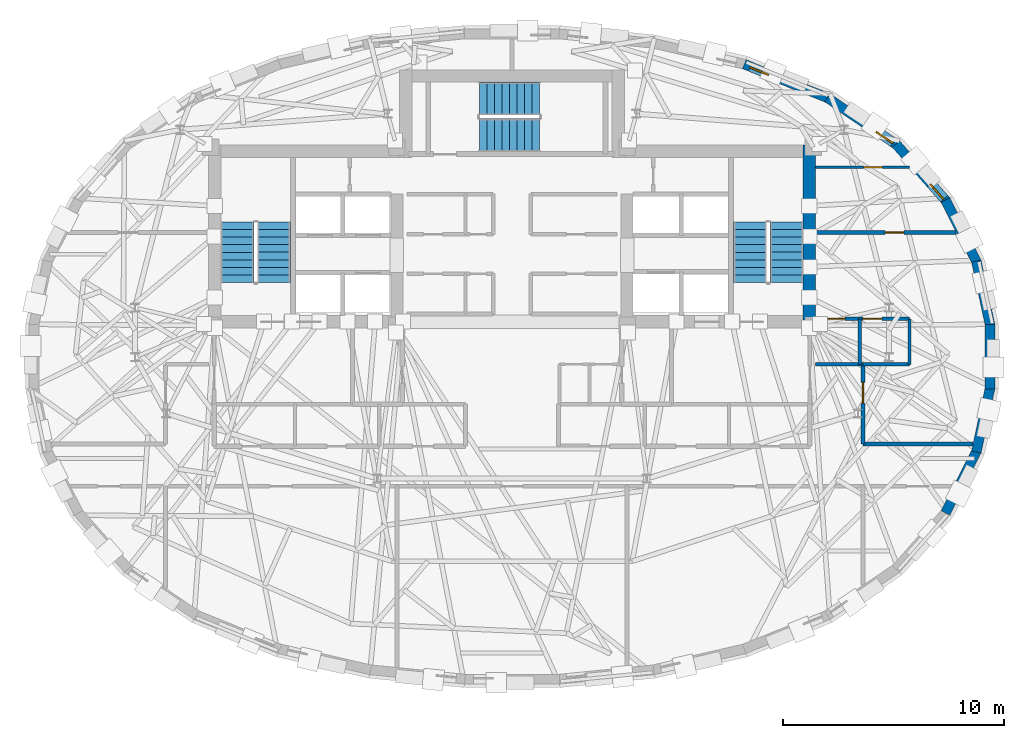
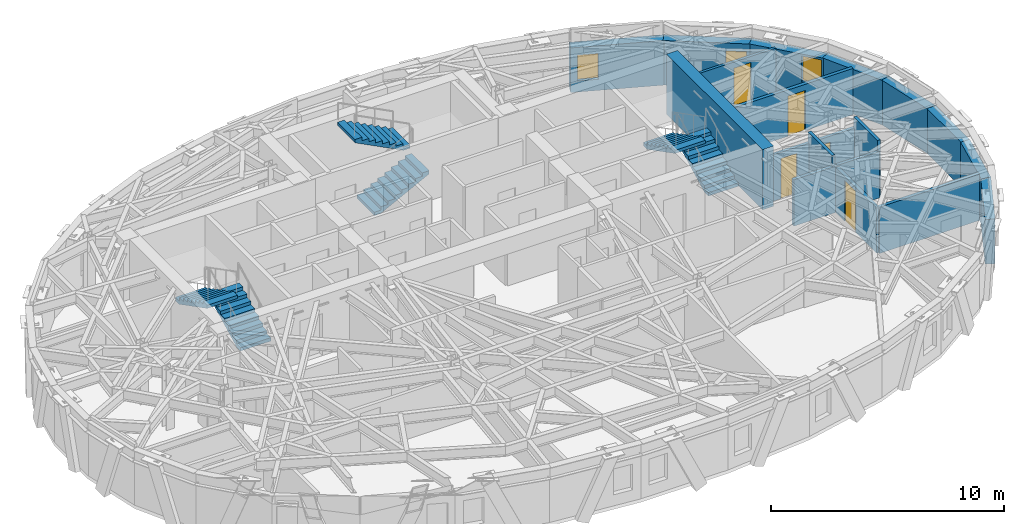
# One storey, part 9 of 12: 18 walls, 6 stair flights, 5 doors, 3 windows, 8 openings, 3 elements without a shape of their own.
"""IFC4 building model written with IfcOpenShell, lengths in metres."""

import ifcopenshell
import ifcopenshell.guid

model = None  # the IFC model being written
_history = None  # IfcOwnerHistory: only IFC2X3 demands one
_inside = {}  # id of a spatial element -> (the spatial element, [elements in it])
_under = {}  # id of a project, library or spatial element -> (it, [spatial elements below it])
_declared = {}  # id of a project -> (the project, [libraries it declares])
_typed = {}  # id of a type object -> (the type object, [elements of that type])
_made_of = {}  # id of a material, layer set ... -> (it, [elements and type objects made of it])


def new_model(schema):
    """Start an empty IFC model of exactly this schema.

    Asked for "IFC4X3", IfcOpenShell would pick the latest addendum, in which some entities
    have other attributes; the version numbers below select the first issue.
    IFC2X3 requires an IfcOwnerHistory on every rooted entity: one is made here for all.
    """
    global model, _history
    if schema == "IFC4X3":
        model = ifcopenshell.file(schema_version=(4, 3, 0, 0))
    else:
        model = ifcopenshell.file(schema=schema)
    _inside.clear()
    _under.clear()
    _declared.clear()
    _typed.clear()
    _made_of.clear()
    _history = None
    if model.schema == "IFC2X3":
        org = make("IfcOrganization", Name="unknown")
        user = make(
            "IfcPersonAndOrganization",
            ThePerson=make("IfcPerson", FamilyName="unknown"),
            TheOrganization=org,
        )
        app = make(
            "IfcApplication",
            ApplicationDeveloper=org,
            Version="unknown",
            ApplicationFullName="unknown",
            ApplicationIdentifier="unknown",
        )
        _history = make(
            "IfcOwnerHistory",
            OwningUser=user,
            OwningApplication=app,
            ChangeAction="ADDED",
            CreationDate=0,
        )
    return model


def make(cls, **values):
    """One entity of the class cls with the attributes given. An attribute that is None is left unset."""
    return model.create_entity(
        cls, **{name: value for name, value in values.items() if value is not None}
    )


def rooted(cls, **values):
    """An entity with a GlobalId (a new one), such as an element, a storey or a relation."""
    return make(cls, GlobalId=ifcopenshell.guid.new(), OwnerHistory=_history, **values)


def si_unit(unit_type, name, prefix=None):
    """IfcSIUnit, for example si_unit("LENGTHUNIT", "METRE", prefix="MILLI")."""
    return make("IfcSIUnit", UnitType=unit_type, Prefix=prefix, Name=name)


def assignment(units):
    """IfcUnitAssignment: the units of a project."""
    return None if units is None else make("IfcUnitAssignment", Units=units)


def point(xyz):
    """IfcCartesianPoint."""
    return None if xyz is None else make("IfcCartesianPoint", Coordinates=xyz)


def direction(xyz):
    """IfcDirection."""
    return None if xyz is None else make("IfcDirection", DirectionRatios=xyz)


def frame(location, z_axis=None, x_axis=None):
    """IfcAxis2Placement3D, a coordinate frame: its origin and axes. An axis left out is left unset."""
    return make(
        "IfcAxis2Placement3D",
        Location=point(location),
        Axis=direction(z_axis),
        RefDirection=direction(x_axis),
    )


def frame_2d(location, x_axis=None):
    """IfcAxis2Placement2D, a coordinate frame in the plane: its origin and x axis."""
    return make(
        "IfcAxis2Placement2D", Location=point(location), RefDirection=direction(x_axis)
    )


def origin():
    """The frame at (0, 0, 0) with its axes left unset."""
    return frame((0.0, 0.0, 0.0))


def place(relative_to, where):
    """IfcLocalPlacement: puts the frame where relative to a parent placement (None: the world)."""
    return make(
        "IfcLocalPlacement", PlacementRelTo=relative_to, RelativePlacement=where
    )


def context(
    kind, dimensions, precision=None, world=None, true_north=None, identifier=None
):
    """IfcGeometricRepresentationContext, for example the 3D "Model" context."""
    return make(
        "IfcGeometricRepresentationContext",
        ContextIdentifier=identifier,
        ContextType=kind,
        CoordinateSpaceDimension=dimensions,
        Precision=precision,
        WorldCoordinateSystem=world,
        TrueNorth=true_north,
    )


def subcontext(parent, identifier, kind, view, scale=None):
    """IfcGeometricRepresentationSubContext, for example "Body" below "Model"."""
    return make(
        "IfcGeometricRepresentationSubContext",
        ContextIdentifier=identifier,
        ContextType=kind,
        ParentContext=parent,
        TargetScale=scale,
        TargetView=view,
    )


def project(units=None, contexts=None):
    """IfcProject with its units and contexts."""
    return rooted(
        "IfcProject",
        Name="project",
        RepresentationContexts=contexts,
        UnitsInContext=assignment(units),
    )


def spatial(cls, under=None, at=None, **own):
    """A site, building, storey or space (cls), placed at a placement, below another one or the project."""
    s = rooted(cls, ObjectPlacement=at, **own)
    if under is not None:
        _under.setdefault(under.id(), (under, []))[1].append(s)
    return s


def polyline(points):
    """IfcPolyline through the points."""
    return make("IfcPolyline", Points=[point(p) for p in points])


def profile(cls, at=None, kind="AREA", **sizes):
    """A parametric profile (cls). Its sizes go by their IFC names, for example OverallWidth=200.0."""
    return make(cls, ProfileType=kind, Position=at, **sizes)


def rectangle(**sizes):
    """IfcRectangleProfileDef."""
    return profile("IfcRectangleProfileDef", **sizes)


def outline(outer, holes=None, kind="AREA"):
    """IfcArbitraryClosedProfileDef: a profile drawn as a closed curve; with holes, ...WithVoids."""
    if holes is None:
        return make("IfcArbitraryClosedProfileDef", ProfileType=kind, OuterCurve=outer)
    return make(
        "IfcArbitraryProfileDefWithVoids",
        ProfileType=kind,
        OuterCurve=outer,
        InnerCurves=holes,
    )


def extrude(swept, where, along, depth):
    """IfcExtrudedAreaSolid: the profile swept, set in the frame where, extruded along a direction by depth."""
    return make(
        "IfcExtrudedAreaSolid",
        SweptArea=swept,
        Position=where,
        ExtrudedDirection=direction(along),
        Depth=depth,
    )


def shape(context_of_items, identifier, shape_type, items):
    """IfcShapeRepresentation: the items that make up one representation, for example the "Body"."""
    return make(
        "IfcShapeRepresentation",
        ContextOfItems=context_of_items,
        RepresentationIdentifier=identifier,
        RepresentationType=shape_type,
        Items=items,
    )


def material(Name=None, Category=None):
    """IfcMaterial."""
    return make("IfcMaterial", Name=Name, Category=Category)


def layer(
    of_material, thickness, ventilated=None, Name=None, Category=None, Priority=None
):
    """IfcMaterialLayer: one layer of a wall or slab, of a material (None: an air gap)."""
    return make(
        "IfcMaterialLayer",
        Material=of_material,
        LayerThickness=thickness,
        IsVentilated=ventilated,
        Name=Name,
        Category=Category,
        Priority=Priority,
    )


def layer_set(layers, Name=None):
    """IfcMaterialLayerSet."""
    return make("IfcMaterialLayerSet", MaterialLayers=layers, LayerSetName=Name)


def made_of(thing, what):
    """Note that an element or type object is made of a material, layer set ...; save() writes the relation."""
    if what is not None:
        _made_of.setdefault(what.id(), (what, []))[1].append(thing)
    return thing


def type_object(cls, material=None, **own):
    """A type object (cls), such as IfcWallType, which elements share."""
    return made_of(rooted(cls, **own), material)


def element(
    cls,
    number,
    at=None,
    inside=None,
    cuts=None,
    type_object=None,
    material=None,
    context=None,
    identifier="Body",
    shape_type=None,
    held_by="IfcProductDefinitionShape",
    body=None,
    shapes=None,
    **own,
):
    """One element of the class cls, such as IfcWall. Its Tag is "e" and its number.

    at: its placement. inside: the storey or other place that contains it. cuts: it is an
    opening in that element (IfcRelVoidsElement). A single representation is given by context,
    identifier, shape_type and body (its items); several are given by shapes. held_by: the class
    of the entity that holds the representations. save() writes the other relations.
    """
    e = rooted(cls, Tag="e%d" % number, ObjectPlacement=at, **own)
    if body is not None:
        shapes = [shape(context, identifier, shape_type, body)]
    if shapes is not None:
        e.Representation = make(held_by, Representations=shapes)
    if inside is not None:
        _inside.setdefault(inside.id(), (inside, []))[1].append(e)
    if cuts is not None:
        rooted(
            "IfcRelVoidsElement", RelatingBuildingElement=cuts, RelatedOpeningElement=e
        )
    if type_object is not None:
        _typed.setdefault(type_object.id(), (type_object, []))[1].append(e)
    return made_of(e, material)


def fill(opening, filler):
    """IfcRelFillsElement: the door or window that sits in an opening."""
    return rooted(
        "IfcRelFillsElement",
        RelatingOpeningElement=opening,
        RelatedBuildingElement=filler,
    )


def aggregate(whole, parts):
    """IfcRelAggregates: a whole, such as a stair, and the parts it consists of."""
    return rooted("IfcRelAggregates", RelatingObject=whole, RelatedObjects=parts)


def save(model, path):
    """Write the relations noted so far, then the file.

    IfcRelAggregates (storeys below a building ...), IfcRelContainedInSpatialStructure (elements
    in a storey), IfcRelDefinesByType, IfcRelAssociatesMaterial and IfcRelDeclares: one each for
    every whole, place, type object, material and project.
    """
    for whole, parts in _under.values():
        aggregate(whole, parts)
    for where, things in _inside.values():
        rooted(
            "IfcRelContainedInSpatialStructure",
            RelatedElements=things,
            RelatingStructure=where,
        )
    for kind, things in _typed.values():
        rooted("IfcRelDefinesByType", RelatedObjects=things, RelatingType=kind)
    for what, things in _made_of.values():
        rooted("IfcRelAssociatesMaterial", RelatedObjects=things, RelatingMaterial=what)
    for by, libraries in _declared.values():
        rooted("IfcRelDeclares", RelatingContext=by, RelatedDefinitions=libraries)
    model.write(path)


model = new_model("IFC4")

# Units and contexts
model_context = context("Model", 3, precision=1e-05, world=origin(), true_north=direction((0.0, 1.0)))
body_context = subcontext(model_context, "Body", "Model", "MODEL_VIEW")
ifc_project = project(units=[si_unit("LENGTHUNIT", "METRE"), si_unit("AREAUNIT", "SQUARE_METRE"), si_unit("VOLUMEUNIT", "CUBIC_METRE"), si_unit("PLANEANGLEUNIT", "RADIAN"), si_unit("MASSUNIT", "GRAM", prefix="KILO")], contexts=[model_context])

# Site, building, storey
site_placement = place(None, origin())
site = spatial("IfcSite", under=ifc_project, at=site_placement, CompositionType="ELEMENT")
building_placement = place(site_placement, origin())
building = spatial("IfcBuilding", under=site, at=building_placement, Name="Keldmark Tower", CompositionType="ELEMENT")
storey_placement = place(building_placement, frame((0.0, 0.0, 238.35009765625)))
storey = spatial("IfcBuildingStorey", under=building, at=storey_placement, Name="L67", CompositionType="ELEMENT", Elevation=238.35009765625)

# Wall
ifc_material_1 = material(Name="Concrete C50/60", Category="concrete")
ifc_layer_1 = layer(ifc_material_1, 0.550048828125)
ifc_layer_set_1 = layer_set([ifc_layer_1], Name="Concrete C50/60")
wall_type_1 = type_object("IfcWallType", Name="High-Rise Core Shear Wall 550 mm", PredefinedType="SHEAR", material=ifc_layer_set_1)
wall_1_placement = place(storey_placement, frame((13.425048828125, 1.300048828125, 0.0), z_axis=(0.0, 0.0, 1.0), x_axis=(0.0, 1.0, 0.0)))
element("IfcWall", 1, at=wall_1_placement, inside=storey, type_object=wall_type_1, Name="L67 East Core Outer Shear Wall", PredefinedType="SHEAR", context=body_context, shape_type="SweptSolid", body=[
    extrude(rectangle(XDim=8.25, YDim=0.550048828125, at=frame_2d((4.125, 0.0))), origin(), (0.0, 0.0, 1.0), 3.14990234375),
])

# Wall, opening, door
ifc_material_2 = material(Name="Acoustic Gypsum Board Interior Partition", Category="gypsum")
ifc_layer_2 = layer(ifc_material_2, 0.1298828125)
ifc_layer_set_2 = layer_set([ifc_layer_2], Name="Acoustic Gypsum Board Interior Partition")
wall_type_2 = type_object("IfcWallType", Name="Interior Partition 130 mm", PredefinedType="PARTITIONING", material=ifc_layer_set_2)
wall_2_placement = place(storey_placement, frame((13.699951171875, 8.550048828125, 0.0), z_axis=(0.0, 0.0, 1.0), x_axis=(1.0, 0.0, 0.0)))
wall_2 = element("IfcWall", 2, at=wall_2_placement, inside=storey, type_object=wall_type_2, Name="L67 Interior Partition 130 mm UA-NDIV2", PredefinedType="PARTITIONING", context=body_context, shape_type="SweptSolid", body=[
    extrude(rectangle(XDim=4.25830078125, YDim=0.1298828125, at=frame_2d((2.129150390625, 0.0))), origin(), (0.0, 0.0, 1.0), 2.4228515625),
])
opening_1_placement = place(wall_2_placement, frame((2.176025390625, 0.0, 0.0)))
opening_1 = element("IfcOpeningElement", 3, at=opening_1_placement, cuts=wall_2, Name="Opening D-IN085", PredefinedType="OPENING", context=body_context, shape_type="SweptSolid", body=[
    extrude(rectangle(XDim=0.85009765625, YDim=2.10009765625, at=frame_2d((0.425048828125, 1.050048828125))), frame((0.0, 0.074951171875, 0.0), z_axis=(0.0, -1.0, 0.0), x_axis=(1.0, 0.0, 0.0)), (0.0, 0.0, 1.0), 0.14990234375),
])
ifc_material_3 = material(Name="Painted Architectural Wood", Category="wood")
door_type_1 = type_object("IfcDoorType", Name="Interior Door 850x2100", OperationType="NOTDEFINED", PredefinedType="DOOR", material=ifc_material_3)
door_1_placement = place(opening_1_placement, origin())
door_1 = element("IfcDoor", 4, at=door_1_placement, inside=storey, type_object=door_type_1, Name="L67 Interior Door 850x2100 D-UA-BR2-L67", OperationType="SINGLE_SWING_RIGHT", OverallHeight=2.10009765625, OverallWidth=0.85009765625, PredefinedType="DOOR", context=body_context, shape_type="SweptSolid", body=[
    extrude(rectangle(XDim=0.85009765625, YDim=2.10009765625, at=frame_2d((0.425048828125, 1.050048828125))), frame((0.0, 0.02490234375, 0.0), z_axis=(0.0, -1.0, 0.0), x_axis=(1.0, 0.0, 0.0)), (0.0, 0.0, 1.0), 0.050048828125),
])
fill(opening_1, door_1)

# Wall
ifc_material_4 = material(Name="Type X Fire-Rated Gypsum Partition Assembly", Category="gypsum")
ifc_layer_3 = layer(ifc_material_4, 0.1650390625)
ifc_layer_set_3 = layer_set([ifc_layer_3], Name="Type X Fire-Rated Gypsum Partition Assembly")
wall_type_3 = type_object("IfcWallType", Name="Rated Partition 165 mm", PredefinedType="PARTITIONING", material=ifc_layer_set_3)
wall_3_placement = place(storey_placement, frame((15.85009765625, -3.949951171875, 0.0), z_axis=(0.0, 0.0, 1.0), x_axis=(1.0, 0.0, 0.0)))
element("IfcWall", 5, at=wall_3_placement, inside=storey, type_object=wall_type_3, Name="L67 Rated Partition 165 mm RCOR-EN-OUT", PredefinedType="PARTITIONING", context=body_context, shape_type="SweptSolid", body=[
    extrude(rectangle(XDim=4.9638671875, YDim=0.1650390625, at=frame_2d((2.48193359375, 0.0))), origin(), (0.0, 0.0, 1.0), 2.4228515625),
])

# Wall, opening, door
wall_4_placement = place(storey_placement, frame((15.85009765625, -3.949951171875, 0.0), z_axis=(0.0, 0.0, 1.0), x_axis=(0.0, 1.0, 0.0)))
wall_4 = element("IfcWall", 6, at=wall_4_placement, inside=storey, type_object=wall_type_3, Name="L67 Rated Partition 165 mm RCOR-VE", PredefinedType="PARTITIONING", context=body_context, shape_type="SweptSolid", body=[
    extrude(rectangle(XDim=3.599853515625, YDim=0.1650390625, at=frame_2d((1.7998046875, 0.0))), origin(), (0.0, 0.0, 1.0), 2.35693359375),
])
opening_2_placement = place(wall_4_placement, frame((1.830078125, 0.0, 0.0)))
opening_2 = element("IfcOpeningElement", 7, at=opening_2_placement, cuts=wall_4, Name="Opening D-AP095", PredefinedType="OPENING", context=body_context, shape_type="SweptSolid", body=[
    extrude(rectangle(XDim=0.949951171875, YDim=2.14990234375, at=frame_2d((0.47509765625, 1.074951171875))), frame((0.0, 0.092529296875, 0.0), z_axis=(0.0, -1.0, 0.0), x_axis=(1.0, 0.0, 0.0)), (0.0, 0.0, 1.0), 0.18505859375),
])
ifc_material_5 = material(Name="Solid-Core Walnut Fire-Rated Entry Assembly", Category="wood")
door_type_2 = type_object("IfcDoorType", Name="Apartment Entry Door 950x2150", OperationType="NOTDEFINED", PredefinedType="DOOR", material=ifc_material_5)
door_2_placement = place(opening_2_placement, origin())
door_2 = element("IfcDoor", 8, at=door_2_placement, inside=storey, type_object=door_type_2, Name="L67 Apartment Entry Door 950x2150 D-UA-ENT-L67", OperationType="SINGLE_SWING_RIGHT", OverallHeight=2.14990234375, OverallWidth=0.949951171875, PredefinedType="DOOR", context=body_context, shape_type="SweptSolid", body=[
    extrude(rectangle(XDim=0.949951171875, YDim=2.14990234375, at=frame_2d((0.47509765625, 1.074951171875))), frame((0.0, 0.02490234375, 0.0), z_axis=(0.0, -1.0, 0.0), x_axis=(1.0, 0.0, 0.0)), (0.0, 0.0, 1.0), 0.050048828125),
])
fill(opening_2, door_2)

# Wall
wall_5_placement = place(storey_placement, frame((13.699951171875, -0.35009765625, 0.0), z_axis=(0.0, 0.0, 1.0), x_axis=(1.0, 0.0, 0.0)))
element("IfcWall", 9, at=wall_5_placement, inside=storey, type_object=wall_type_3, Name="L67 Rated Partition 165 mm RCOR-VEN", PredefinedType="PARTITIONING", context=body_context, shape_type="SweptSolid", body=[
    extrude(rectangle(XDim=2.150146484375, YDim=0.1650390625, at=frame_2d((1.0751953125, 0.0))), origin(), (0.0, 0.0, 1.0), 2.4228515625),
])

# Wall, opening, door
wall_6_placement = place(storey_placement, frame((13.699951171875, 5.60009765625, 0.0), z_axis=(0.0, 0.0, 1.0), x_axis=(1.0, 0.0, 0.0)))
wall_6 = element("IfcWall", 10, at=wall_6_placement, inside=storey, type_object=wall_type_3, Name="L67 Rated Partition 165 mm RE-NDIV", PredefinedType="PARTITIONING", context=body_context, shape_type="SweptSolid", body=[
    extrude(rectangle(XDim=6.35986328125, YDim=0.1650390625, at=frame_2d((3.179931640625, 0.0))), origin(), (0.0, 0.0, 1.0), 2.4228515625),
])
opening_3_placement = place(wall_6_placement, frame((3.15087890625, 0.0, 0.0)))
opening_3 = element("IfcOpeningElement", 11, at=opening_3_placement, cuts=wall_6, Name="Opening D-BR085", PredefinedType="OPENING", context=body_context, shape_type="SweptSolid", body=[
    extrude(rectangle(XDim=0.85009765625, YDim=2.10009765625, at=frame_2d((0.425048828125, 1.050048828125))), frame((0.0, 0.092529296875, 0.0), z_axis=(0.0, -1.0, 0.0), x_axis=(1.0, 0.0, 0.0)), (0.0, 0.0, 1.0), 0.18505859375),
])
ifc_material_6 = material(Name="Solid-Core Stained Walnut Wood", Category="wood")
door_type_3 = type_object("IfcDoorType", Name="Bedroom Door 850x2100", OperationType="NOTDEFINED", PredefinedType="DOOR", material=ifc_material_6)
door_3_placement = place(opening_3_placement, origin())
door_3 = element("IfcDoor", 12, at=door_3_placement, inside=storey, type_object=door_type_3, Name="L67 Bedroom Door 850x2100 D-UA-BR1-L67", OperationType="SINGLE_SWING_LEFT", OverallHeight=2.10009765625, OverallWidth=0.85009765625, PredefinedType="DOOR", context=body_context, shape_type="SweptSolid", body=[
    extrude(rectangle(XDim=0.85009765625, YDim=2.10009765625, at=frame_2d((0.425048828125, 1.050048828125))), frame((0.0, 0.02490234375, 0.0), z_axis=(0.0, -1.0, 0.0), x_axis=(1.0, 0.0, 0.0)), (0.0, 0.0, 1.0), 0.050048828125),
])
fill(opening_3, door_3)

# Walls
ifc_material_7 = material(Name="Ironspot Manganese Brick and Kasota Buff Limestone Spandrel Assembly", Category="masonry")
ifc_layer_4 = layer(ifc_material_7, 0.43994140625)
ifc_layer_set_4 = layer_set([ifc_layer_4], Name="Ironspot Manganese Brick and Kasota Buff Limestone Spandrel Assembly")
wall_type_4 = type_object("IfcWallType", Name="Tower Brick Pier and Spandrel Wall 440 mm", PredefinedType="STANDARD", material=ifc_layer_set_4)
wall_7_placement = place(storey_placement, frame((20.969482421875, 4.311279296875, 0.0), z_axis=(0.0, 0.0, 1.0), x_axis=(0.210540350534, -0.977585168053, 0.0)))
element("IfcWall", 13, at=wall_7_placement, inside=storey, type_object=wall_type_4, Name="L67 Exterior Brick and Spandrel Wall 01", PredefinedType="STANDARD", context=body_context, shape_type="SweptSolid", body=[
    extrude(rectangle(XDim=2.96728515625, YDim=0.43994140625, at=frame_2d((1.483642578125, 0.0))), origin(), (0.0, 0.0, 1.0), 2.3359375),
])
wall_8_placement = place(storey_placement, frame((19.578125, 7.068603515625, 0.0), z_axis=(0.0, 0.0, 1.0), x_axis=(0.448424724145, -0.893820601002, 0.0)))
element("IfcWall", 14, at=wall_8_placement, inside=storey, type_object=wall_type_4, Name="L67 Exterior Brick and Spandrel Wall 02", PredefinedType="STANDARD", context=body_context, shape_type="SweptSolid", body=[
    extrude(rectangle(XDim=3.1435546875, YDim=0.43994140625, at=frame_2d((1.57177734375, 0.0))), origin(), (0.0, 0.0, 1.0), 2.3359375),
])

# Wall, opening, window
wall_9_placement = place(storey_placement, frame((17.33984375, 9.595947265625, 0.0), z_axis=(0.0, 0.0, 1.0), x_axis=(0.66136043846, -0.750068243855, 0.0)))
wall_9 = element("IfcWall", 15, at=wall_9_placement, inside=storey, type_object=wall_type_4, Name="L67 Exterior Brick and Spandrel Wall 03", PredefinedType="STANDARD", context=body_context, shape_type="SweptSolid", body=[
    extrude(rectangle(XDim=3.431884765625, YDim=0.43994140625, at=frame_2d((1.7158203125, 0.0))), origin(), (0.0, 0.0, 1.0), 2.3359375),
])
opening_4_placement = place(wall_9_placement, frame((2.39208984375, 0.0, 0.8798828125)))
opening_4 = element("IfcOpeningElement", 16, at=opening_4_placement, cuts=wall_9, Name="Opening W-09", PredefinedType="OPENING", context=body_context, shape_type="SweptSolid", body=[
    extrude(rectangle(XDim=0.89990234375, YDim=1.35009765625, at=frame_2d((0.449951171875, 0.675048828125))), frame((0.0, 0.22998046875, 0.0), z_axis=(0.0, -1.0, 0.0), x_axis=(1.0, 0.0, 0.0)), (0.0, 0.0, 1.0), 0.4599609375),
])
ifc_material_8 = material(Name="Thermally Broken Anodized Aluminum and Triple Low-E Argon Glazing", Category="aluminium")
window_type = type_object("IfcWindowType", Name="Corner Pier Deep-Set Window 900x1350", PartitioningType="SINGLE_PANEL", PredefinedType="WINDOW", material=ifc_material_8)
window_1_placement = place(opening_4_placement, origin())
window_1 = element("IfcWindow", 17, at=window_1_placement, inside=storey, type_object=window_type, Name="L67 Pier Window RM01", OverallHeight=1.35009765625, OverallWidth=0.89990234375, PartitioningType="SINGLE_PANEL", PredefinedType="WINDOW", context=body_context, shape_type="SweptSolid", body=[
    extrude(rectangle(XDim=0.89990234375, YDim=1.35009765625, at=frame_2d((0.449951171875, 0.675048828125))), frame((0.0, -0.010009765625, 0.0), z_axis=(0.0, -1.0, 0.0), x_axis=(1.0, 0.0, 0.0)), (0.0, 0.0, 1.0), 0.06005859375),
])
fill(opening_4, window_1)

wall_10_placement = place(storey_placement, frame((14.242431640625, 11.68798828125, 0.0), z_axis=(0.0, 0.0, 1.0), x_axis=(0.827637036896, -0.561263694851, 0.0)))
wall_10 = element("IfcWall", 18, at=wall_10_placement, inside=storey, type_object=wall_type_4, Name="L67 Exterior Brick and Spandrel Wall 04", PredefinedType="STANDARD", context=body_context, shape_type="SweptSolid", body=[
    extrude(rectangle(XDim=3.792724609375, YDim=0.43994140625, at=frame_2d((1.896484375, 0.0))), origin(), (0.0, 0.0, 1.0), 2.3359375),
])
opening_5_placement = place(wall_10_placement, frame((2.692626953125, 0.0, 0.580078125)))
opening_5 = element("IfcOpeningElement", 19, at=opening_5_placement, cuts=wall_10, Name="Opening W-09", PredefinedType="OPENING", context=body_context, shape_type="SweptSolid", body=[
    extrude(rectangle(XDim=0.89990234375, YDim=1.35009765625, at=frame_2d((0.449951171875, 0.675048828125))), frame((0.0, 0.22998046875, 0.0), z_axis=(0.0, -1.0, 0.0), x_axis=(1.0, 0.0, 0.0)), (0.0, 0.0, 1.0), 0.4599609375),
])
window_2_placement = place(opening_5_placement, origin())
window_2 = element("IfcWindow", 20, at=window_2_placement, inside=storey, type_object=window_type, Name="L67 Deep-Set Window 04", OverallHeight=1.35009765625, OverallWidth=0.89990234375, PartitioningType="SINGLE_PANEL", PredefinedType="WINDOW", context=body_context, shape_type="SweptSolid", body=[
    extrude(rectangle(XDim=0.89990234375, YDim=1.35009765625, at=frame_2d((0.449951171875, 0.675048828125))), frame((0.0, -0.010009765625, 0.0), z_axis=(0.0, -1.0, 0.0), x_axis=(1.0, 0.0, 0.0)), (0.0, 0.0, 1.0), 0.06005859375),
])
fill(opening_5, window_2)

wall_11_placement = place(storey_placement, frame((10.487060546875, 13.205078125, 0.0), z_axis=(0.0, 0.0, 1.0), x_axis=(0.926731976866, -0.375723093586, 0.0)))
wall_11 = element("IfcWall", 21, at=wall_11_placement, inside=storey, type_object=wall_type_4, Name="L67 Exterior Brick and Spandrel Wall 05", PredefinedType="STANDARD", context=body_context, shape_type="SweptSolid", body=[
    extrude(rectangle(XDim=4.09619140625, YDim=0.43994140625, at=frame_2d((2.048095703125, 0.0))), origin(), (0.0, 0.0, 1.0), 2.3359375),
])
opening_6_placement = place(wall_11_placement, frame((0.2998046875, 0.0, 0.580078125)))
opening_6 = element("IfcOpeningElement", 22, at=opening_6_placement, cuts=wall_11, Name="Opening W-09", PredefinedType="OPENING", context=body_context, shape_type="SweptSolid", body=[
    extrude(rectangle(XDim=0.89990234375, YDim=1.35009765625, at=frame_2d((0.449951171875, 0.675048828125))), frame((0.0, 0.22998046875, 0.0), z_axis=(0.0, -1.0, 0.0), x_axis=(1.0, 0.0, 0.0)), (0.0, 0.0, 1.0), 0.4599609375),
])
window_3_placement = place(opening_6_placement, origin())
window_3 = element("IfcWindow", 23, at=window_3_placement, inside=storey, type_object=window_type, Name="L67 Deep-Set Window 05", OverallHeight=1.35009765625, OverallWidth=0.89990234375, PartitioningType="SINGLE_PANEL", PredefinedType="WINDOW", context=body_context, shape_type="SweptSolid", body=[
    extrude(rectangle(XDim=0.89990234375, YDim=1.35009765625, at=frame_2d((0.449951171875, 0.675048828125))), frame((0.0, -0.010009765625, 0.0), z_axis=(0.0, -1.0, 0.0), x_axis=(1.0, 0.0, 0.0)), (0.0, 0.0, 1.0), 0.06005859375),
])
fill(opening_6, window_3)

# Walls
wall_12_placement = place(storey_placement, frame((20.98779296875, -4.2587890625, 0.0), z_axis=(0.0, 0.0, 1.0), x_axis=(-0.448424724145, -0.893820601002, 0.0)))
element("IfcWall", 24, at=wall_12_placement, inside=storey, type_object=wall_type_4, Name="L67 Exterior Brick and Spandrel Wall 30", PredefinedType="STANDARD", context=body_context, shape_type="SweptSolid", body=[
    extrude(rectangle(XDim=3.1435546875, YDim=0.43994140625, at=frame_2d((1.57177734375, 0.0))), origin(), (0.0, 0.0, 1.0), 2.3359375),
])
wall_13_placement = place(storey_placement, frame((21.59423828125, -1.410400390625, 0.0), z_axis=(0.0, 0.0, 1.0), x_axis=(-0.210540350534, -0.977585168053, 0.0)))
element("IfcWall", 25, at=wall_13_placement, inside=storey, type_object=wall_type_4, Name="L67 Exterior Brick and Spandrel Wall 31", PredefinedType="STANDARD", context=body_context, shape_type="SweptSolid", body=[
    extrude(rectangle(XDim=2.96728515625, YDim=0.43994140625, at=frame_2d((1.483642578125, 0.0))), origin(), (0.0, 0.0, 1.0), 2.3359375),
])
wall_14_placement = place(storey_placement, frame((21.58935546875, 1.45654296875, 0.0), z_axis=(0.0, 0.0, 1.0), x_axis=(0.0, -1.0, 0.0)))
element("IfcWall", 26, at=wall_14_placement, inside=storey, type_object=wall_type_4, Name="L67 Exterior Brick and Spandrel Wall 32", PredefinedType="STANDARD", context=body_context, shape_type="SweptSolid", body=[
    extrude(rectangle(XDim=2.9130859375, YDim=0.43994140625, at=frame_2d((1.45654296875, 0.0))), origin(), (0.0, 0.0, 1.0), 2.3359375),
])

# Wall, openings, doors
ifc_material_9 = material(Name="Moisture-Resistant Gypsum Plumbing Partition", Category="gypsum")
ifc_layer_5 = layer(ifc_material_9, 0.14990234375)
ifc_layer_set_5 = layer_set([ifc_layer_5], Name="Moisture-Resistant Gypsum Plumbing Partition")
wall_type_5 = type_object("IfcWallType", Name="Wet Wall 150 mm", PredefinedType="PLUMBINGWALL", material=ifc_layer_set_5)
wall_15_placement = place(storey_placement, frame((13.699951171875, 1.699951171875, 0.0), z_axis=(0.0, 0.0, 1.0), x_axis=(1.0, 0.0, 0.0)))
wall_15 = element("IfcWall", 27, at=wall_15_placement, inside=storey, type_object=wall_type_5, Name="L67 Wet Wall 150 mm UA-BK-N", PredefinedType="PLUMBINGWALL", context=body_context, shape_type="SweptSolid", body=[
    extrude(rectangle(XDim=4.25, YDim=0.14990234375, at=frame_2d((2.125, 0.0))), origin(), (0.0, 0.0, 1.0), 2.4228515625),
])
opening_7_placement = place(wall_15_placement, frame((0.550048828125, 0.0, 0.0)))
opening_7 = element("IfcOpeningElement", 28, at=opening_7_placement, cuts=wall_15, Name="Opening D-BT080", PredefinedType="OPENING", context=body_context, shape_type="SweptSolid", body=[
    extrude(rectangle(XDim=0.800048828125, YDim=2.10009765625, at=frame_2d((0.39990234375, 1.050048828125))), frame((0.0, 0.0849609375, 0.0), z_axis=(0.0, -1.0, 0.0), x_axis=(1.0, 0.0, 0.0)), (0.0, 0.0, 1.0), 0.169921875),
])
opening_8_placement = place(wall_15_placement, frame((2.14990234375, 0.0, 0.0)))
opening_8 = element("IfcOpeningElement", 29, at=opening_8_placement, cuts=wall_15, Name="Opening D-IN085", PredefinedType="OPENING", context=body_context, shape_type="SweptSolid", body=[
    extrude(rectangle(XDim=0.85009765625, YDim=2.10009765625, at=frame_2d((0.425048828125, 1.050048828125))), frame((0.0, 0.0849609375, 0.0), z_axis=(0.0, -1.0, 0.0), x_axis=(1.0, 0.0, 0.0)), (0.0, 0.0, 1.0), 0.169921875),
])
ifc_material_10 = material(Name="Moisture-Sealed Stained Wood", Category="wood")
door_type_4 = type_object("IfcDoorType", Name="Bathroom Door 800x2100", OperationType="NOTDEFINED", PredefinedType="DOOR", material=ifc_material_10)
door_4_placement = place(opening_7_placement, origin())
door_4 = element("IfcDoor", 30, at=door_4_placement, inside=storey, type_object=door_type_4, Name="L67 Bathroom Door 800x2100 D-UA-BATH-L67", OperationType="SINGLE_SWING_RIGHT", OverallHeight=2.10009765625, OverallWidth=0.800048828125, PredefinedType="DOOR", context=body_context, shape_type="SweptSolid", body=[
    extrude(rectangle(XDim=0.800048828125, YDim=2.10009765625, at=frame_2d((0.39990234375, 1.050048828125))), frame((0.0, 0.02490234375, 0.0), z_axis=(0.0, -1.0, 0.0), x_axis=(1.0, 0.0, 0.0)), (0.0, 0.0, 1.0), 0.050048828125),
])
fill(opening_7, door_4)
door_5_placement = place(opening_8_placement, origin())
door_5 = element("IfcDoor", 31, at=door_5_placement, inside=storey, type_object=door_type_1, Name="L67 Interior Door 850x2100 D-UA-KIT-L67", OperationType="SINGLE_SWING_LEFT", OverallHeight=2.10009765625, OverallWidth=0.85009765625, PredefinedType="DOOR", context=body_context, shape_type="SweptSolid", body=[
    extrude(rectangle(XDim=0.85009765625, YDim=2.10009765625, at=frame_2d((0.425048828125, 1.050048828125))), frame((0.0, 0.02490234375, 0.0), z_axis=(0.0, -1.0, 0.0), x_axis=(1.0, 0.0, 0.0)), (0.0, 0.0, 1.0), 0.050048828125),
])
fill(opening_8, door_5)

# Walls
wall_16_placement = place(storey_placement, frame((15.85009765625, -0.35009765625, 0.0), z_axis=(0.0, 0.0, 1.0), x_axis=(1.0, 0.0, 0.0)))
element("IfcWall", 32, at=wall_16_placement, inside=storey, type_object=wall_type_5, Name="L67 Wet Wall 150 mm UA-BK-S", PredefinedType="PLUMBINGWALL", context=body_context, shape_type="SweptSolid", body=[
    extrude(rectangle(XDim=2.099853515625, YDim=0.14990234375, at=frame_2d((1.0498046875, 0.0))), origin(), (0.0, 0.0, 1.0), 2.4228515625),
])
for number, where, z_axis, x_axis, name in (
    (33, (15.699951171875, -0.35009765625, 0.0), (0.0, 0.0, 1.0), (0.0, 1.0, 0.0), "L67 Wet Wall 150 mm UA-BK-M"),
    (34, (17.949951171875, -0.35009765625, 0.0), (0.0, 0.0, 1.0), (0.0, 1.0, 0.0), "L67 Wet Wall 150 mm UA-BK-OUT"),
):
    element("IfcWall", number, at=place(storey_placement, frame(where, z_axis=z_axis, x_axis=x_axis)), inside=storey, type_object=wall_type_5, Name=name, PredefinedType="PLUMBINGWALL", context=body_context, shape_type="SweptSolid", body=[
        extrude(rectangle(XDim=2.050048828125, YDim=0.14990234375, at=frame_2d((1.02490234375, 0.0))), origin(), (0.0, 0.0, 1.0), 2.969970703125),
    ])

# Stair, stair flights
ifc_material_11 = material(Name="Concrete C40/50", Category="concrete")
stair_type = type_object("IfcStairType", Name="Precast Concrete Core Exit Stair", PredefinedType="HALF_TURN_STAIR", material=ifc_material_11)
stair_1_placement = place(storey_placement, origin())
stair_1 = element("IfcStair", 35, at=stair_1_placement, inside=storey, type_object=stair_type, Name="L67 Exit Stair ST1", PredefinedType="HALF_TURN_STAIR")
ifc_material_12 = material(Name="Concrete C40/50", Category="concrete")
stair_flight_type = type_object("IfcStairFlightType", Name="Precast Concrete Stair Flight 1500 mm", PredefinedType="STRAIGHT", material=ifc_material_12)
stair_flight_1_placement = place(storey_placement, frame((-10.75, 3.35009765625, 0.0), z_axis=(0.0, 0.0, 1.0), x_axis=(0.0, 1.0, 0.0)))
stair_flight_1 = element("IfcStairFlight", 36, at=stair_flight_1_placement, type_object=stair_flight_type, Name="ST1 flight 1", NumberOfRisers=9, NumberOfTreads=8, PredefinedType="STRAIGHT", RiserHeight=0.175, TreadLength=0.34, context=body_context, shape_type="SweptSolid", body=[
    extrude(outline(polyline([(0.0, 0.0), (0.0, 0.175048828125), (0.340087890625, 0.175048828125), (0.340087890625, 0.35009765625), (0.679931640625, 0.35009765625), (0.679931640625, 0.52490234375), (1.02001953125, 0.52490234375), (1.02001953125, 0.699951171875), (1.360107421875, 0.699951171875), (1.360107421875, 0.875), (1.699951171875, 0.875), (1.699951171875, 1.050048828125), (2.0400390625, 1.050048828125), (2.0400390625, 1.22509765625), (2.3798828125, 1.22509765625), (2.3798828125, 1.39990234375), (2.719970703125, 1.39990234375), (2.719970703125, 1.574951171875), (2.719970703125, 1.2314453125), (0.32763671875, 0.0), (0.0, 0.0)])), frame((0.0, 0.75, 0.0), z_axis=(0.0, -1.0, 0.0), x_axis=(1.0, 0.0, 0.0)), (0.0, 0.0, 1.0), 1.5),
])
stair_flight_2_placement = place(storey_placement, frame((-12.39990234375, 6.070068359375, 1.574951171875), z_axis=(0.0, 0.0, 1.0), x_axis=(0.0, -1.0, 0.0)))
stair_flight_2 = element("IfcStairFlight", 37, at=stair_flight_2_placement, type_object=stair_flight_type, Name="ST1 flight 2", NumberOfRisers=9, NumberOfTreads=8, PredefinedType="STRAIGHT", RiserHeight=0.175, TreadLength=0.34, context=body_context, shape_type="SweptSolid", body=[
    extrude(outline(polyline([(0.0, 0.0), (0.0, 0.175048828125), (0.340087890625, 0.175048828125), (0.340087890625, 0.35009765625), (0.679931640625, 0.35009765625), (0.679931640625, 0.52490234375), (1.02001953125, 0.52490234375), (1.02001953125, 0.699951171875), (1.360107421875, 0.699951171875), (1.360107421875, 0.875), (1.699951171875, 0.875), (1.699951171875, 1.050048828125), (2.0400390625, 1.050048828125), (2.0400390625, 1.22509765625), (2.3798828125, 1.22509765625), (2.3798828125, 1.39990234375), (2.719970703125, 1.39990234375), (2.719970703125, 1.574951171875), (2.719970703125, 1.2314453125), (0.32763671875, 0.0), (0.0, 0.0)])), frame((0.0, 0.75, 0.0), z_axis=(0.0, -1.0, 0.0), x_axis=(1.0, 0.0, 0.0)), (0.0, 0.0, 1.0), 1.5),
])
aggregate(stair_1, [stair_flight_1, stair_flight_2])

stair_2_placement = place(storey_placement, origin())
stair_2 = element("IfcStair", 38, at=stair_2_placement, inside=storey, type_object=stair_type, Name="L67 Exit Stair ST2", PredefinedType="HALF_TURN_STAIR")
stair_flight_3_placement = place(storey_placement, frame((12.39990234375, 3.35009765625, 0.0), z_axis=(0.0, 0.0, 1.0), x_axis=(0.0, 1.0, 0.0)))
stair_flight_3 = element("IfcStairFlight", 39, at=stair_flight_3_placement, type_object=stair_flight_type, Name="ST2 flight 1", NumberOfRisers=9, NumberOfTreads=8, PredefinedType="STRAIGHT", RiserHeight=0.175, TreadLength=0.34, context=body_context, shape_type="SweptSolid", body=[
    extrude(outline(polyline([(0.0, 0.0), (0.0, 0.175048828125), (0.340087890625, 0.175048828125), (0.340087890625, 0.35009765625), (0.679931640625, 0.35009765625), (0.679931640625, 0.52490234375), (1.02001953125, 0.52490234375), (1.02001953125, 0.699951171875), (1.360107421875, 0.699951171875), (1.360107421875, 0.875), (1.699951171875, 0.875), (1.699951171875, 1.050048828125), (2.0400390625, 1.050048828125), (2.0400390625, 1.22509765625), (2.3798828125, 1.22509765625), (2.3798828125, 1.39990234375), (2.719970703125, 1.39990234375), (2.719970703125, 1.574951171875), (2.719970703125, 1.2314453125), (0.32763671875, 0.0), (0.0, 0.0)])), frame((0.0, 0.75, 0.0), z_axis=(0.0, -1.0, 0.0), x_axis=(1.0, 0.0, 0.0)), (0.0, 0.0, 1.0), 1.5),
])
stair_flight_4_placement = place(storey_placement, frame((10.75, 6.070068359375, 1.574951171875), z_axis=(0.0, 0.0, 1.0), x_axis=(0.0, -1.0, 0.0)))
stair_flight_4 = element("IfcStairFlight", 40, at=stair_flight_4_placement, type_object=stair_flight_type, Name="ST2 flight 2", NumberOfRisers=9, NumberOfTreads=8, PredefinedType="STRAIGHT", RiserHeight=0.175, TreadLength=0.34, context=body_context, shape_type="SweptSolid", body=[
    extrude(outline(polyline([(0.0, 0.0), (0.0, 0.175048828125), (0.340087890625, 0.175048828125), (0.340087890625, 0.35009765625), (0.679931640625, 0.35009765625), (0.679931640625, 0.52490234375), (1.02001953125, 0.52490234375), (1.02001953125, 0.699951171875), (1.360107421875, 0.699951171875), (1.360107421875, 0.875), (1.699951171875, 0.875), (1.699951171875, 1.050048828125), (2.0400390625, 1.050048828125), (2.0400390625, 1.22509765625), (2.3798828125, 1.22509765625), (2.3798828125, 1.39990234375), (2.719970703125, 1.39990234375), (2.719970703125, 1.574951171875), (2.719970703125, 1.2314453125), (0.32763671875, 0.0), (0.0, 0.0)])), frame((0.0, 0.75, 0.0), z_axis=(0.0, -1.0, 0.0), x_axis=(1.0, 0.0, 0.0)), (0.0, 0.0, 1.0), 1.5),
])
aggregate(stair_2, [stair_flight_3, stair_flight_4])

stair_3_placement = place(storey_placement, origin())
stair_3 = element("IfcStair", 41, at=stair_3_placement, inside=storey, type_object=stair_type, Name="L67 Exit Stair ST3", PredefinedType="HALF_TURN_STAIR")
stair_flight_5_placement = place(storey_placement, frame((-1.47509765625, 10.0, 0.0), z_axis=(0.0, 0.0, 1.0), x_axis=(1.0, 0.0, 0.0)))
stair_flight_5 = element("IfcStairFlight", 42, at=stair_flight_5_placement, type_object=stair_flight_type, Name="ST3 flight 1", NumberOfRisers=9, NumberOfTreads=8, PredefinedType="STRAIGHT", RiserHeight=0.175, TreadLength=0.34, context=body_context, shape_type="SweptSolid", body=[
    extrude(outline(polyline([(0.0, 0.0), (0.0, 0.175048828125), (0.340087890625, 0.175048828125), (0.340087890625, 0.35009765625), (0.679931640625, 0.35009765625), (0.679931640625, 0.52490234375), (1.02001953125, 0.52490234375), (1.02001953125, 0.699951171875), (1.360107421875, 0.699951171875), (1.360107421875, 0.875), (1.699951171875, 0.875), (1.699951171875, 1.050048828125), (2.0400390625, 1.050048828125), (2.0400390625, 1.22509765625), (2.3798828125, 1.22509765625), (2.3798828125, 1.39990234375), (2.719970703125, 1.39990234375), (2.719970703125, 1.574951171875), (2.719970703125, 1.2314453125), (0.32763671875, 0.0), (0.0, 0.0)])), frame((0.0, 0.75, 0.0), z_axis=(0.0, -1.0, 0.0), x_axis=(1.0, 0.0, 0.0)), (0.0, 0.0, 1.0), 1.5),
])
stair_flight_6_placement = place(storey_placement, frame((1.2451171875, 11.64990234375, 1.574951171875), z_axis=(0.0, 0.0, 1.0), x_axis=(-1.0, 0.0, 0.0)))
stair_flight_6 = element("IfcStairFlight", 43, at=stair_flight_6_placement, type_object=stair_flight_type, Name="ST3 flight 2", NumberOfRisers=9, NumberOfTreads=8, PredefinedType="STRAIGHT", RiserHeight=0.175, TreadLength=0.34, context=body_context, shape_type="SweptSolid", body=[
    extrude(outline(polyline([(0.0, 0.0), (0.0, 0.175048828125), (0.340087890625, 0.175048828125), (0.340087890625, 0.35009765625), (0.679931640625, 0.35009765625), (0.679931640625, 0.52490234375), (1.02001953125, 0.52490234375), (1.02001953125, 0.699951171875), (1.360107421875, 0.699951171875), (1.360107421875, 0.875), (1.699951171875, 0.875), (1.699951171875, 1.050048828125), (2.0400390625, 1.050048828125), (2.0400390625, 1.22509765625), (2.3798828125, 1.22509765625), (2.3798828125, 1.39990234375), (2.719970703125, 1.39990234375), (2.719970703125, 1.574951171875), (2.719970703125, 1.2314453125), (0.32763671875, 0.0), (0.0, 0.0)])), frame((0.0, 0.75, 0.0), z_axis=(0.0, -1.0, 0.0), x_axis=(1.0, 0.0, 0.0)), (0.0, 0.0, 1.0), 1.5),
])
aggregate(stair_3, [stair_flight_5, stair_flight_6])

save(model, "model.ifc")
